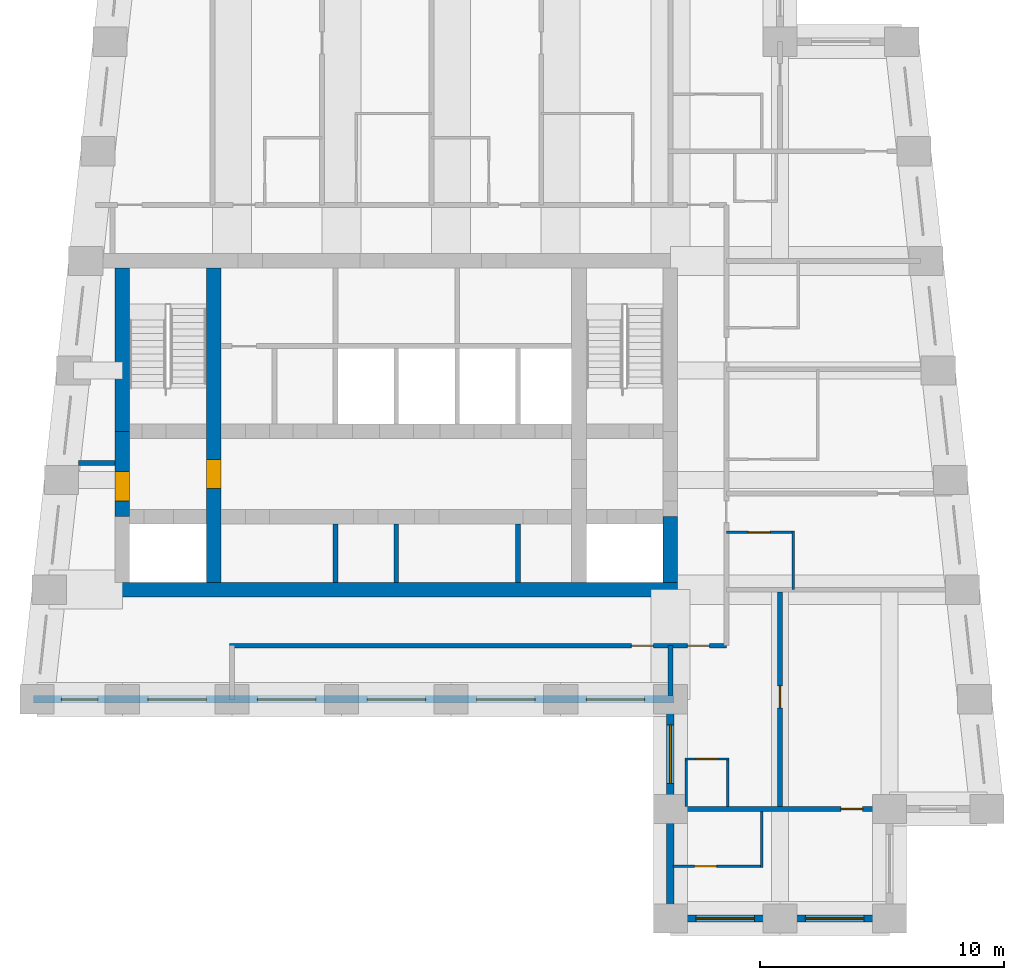
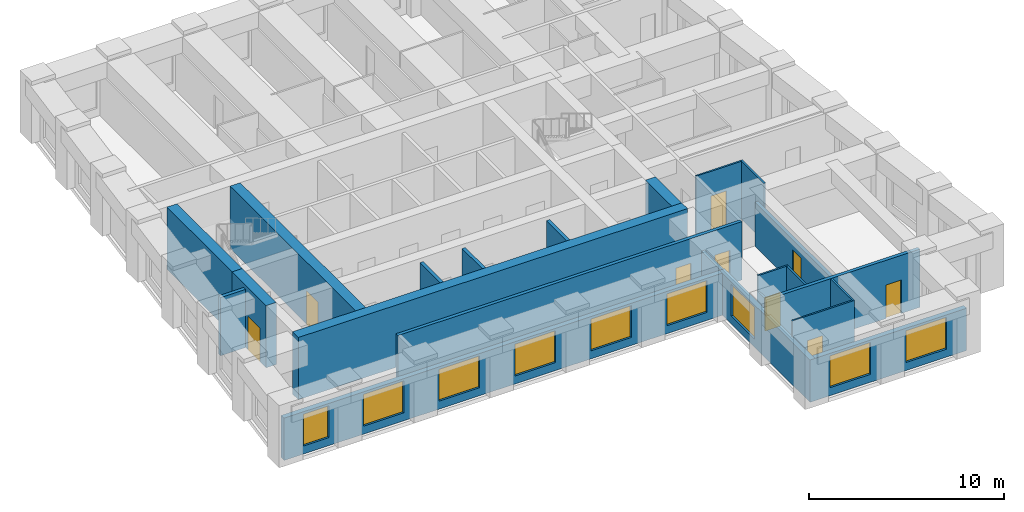
# One storey, part 2 of 7: 23 walls, 9 doors, 9 windows, 18 openings.
"""IFC4 building model written with IfcOpenShell, lengths in metres."""

import ifcopenshell
import ifcopenshell.guid

model = None  # the IFC model being written
_history = None  # IfcOwnerHistory: only IFC2X3 demands one
_inside = {}  # id of a spatial element -> (the spatial element, [elements in it])
_under = {}  # id of a project, library or spatial element -> (it, [spatial elements below it])
_declared = {}  # id of a project -> (the project, [libraries it declares])
_typed = {}  # id of a type object -> (the type object, [elements of that type])
_made_of = {}  # id of a material, layer set ... -> (it, [elements and type objects made of it])


def new_model(schema):
    """Start an empty IFC model of exactly this schema.

    Asked for "IFC4X3", IfcOpenShell would pick the latest addendum, in which some entities
    have other attributes; the version numbers below select the first issue.
    IFC2X3 requires an IfcOwnerHistory on every rooted entity: one is made here for all.
    """
    global model, _history
    if schema == "IFC4X3":
        model = ifcopenshell.file(schema_version=(4, 3, 0, 0))
    else:
        model = ifcopenshell.file(schema=schema)
    _inside.clear()
    _under.clear()
    _declared.clear()
    _typed.clear()
    _made_of.clear()
    _history = None
    if model.schema == "IFC2X3":
        org = make("IfcOrganization", Name="unknown")
        user = make(
            "IfcPersonAndOrganization",
            ThePerson=make("IfcPerson", FamilyName="unknown"),
            TheOrganization=org,
        )
        app = make(
            "IfcApplication",
            ApplicationDeveloper=org,
            Version="unknown",
            ApplicationFullName="unknown",
            ApplicationIdentifier="unknown",
        )
        _history = make(
            "IfcOwnerHistory",
            OwningUser=user,
            OwningApplication=app,
            ChangeAction="ADDED",
            CreationDate=0,
        )
    return model


def make(cls, **values):
    """One entity of the class cls with the attributes given. An attribute that is None is left unset."""
    return model.create_entity(
        cls, **{name: value for name, value in values.items() if value is not None}
    )


def rooted(cls, **values):
    """An entity with a GlobalId (a new one), such as an element, a storey or a relation."""
    return make(cls, GlobalId=ifcopenshell.guid.new(), OwnerHistory=_history, **values)


def si_unit(unit_type, name, prefix=None):
    """IfcSIUnit, for example si_unit("LENGTHUNIT", "METRE", prefix="MILLI")."""
    return make("IfcSIUnit", UnitType=unit_type, Prefix=prefix, Name=name)


def assignment(units):
    """IfcUnitAssignment: the units of a project."""
    return None if units is None else make("IfcUnitAssignment", Units=units)


def point(xyz):
    """IfcCartesianPoint."""
    return None if xyz is None else make("IfcCartesianPoint", Coordinates=xyz)


def direction(xyz):
    """IfcDirection."""
    return None if xyz is None else make("IfcDirection", DirectionRatios=xyz)


def frame(location, z_axis=None, x_axis=None):
    """IfcAxis2Placement3D, a coordinate frame: its origin and axes. An axis left out is left unset."""
    return make(
        "IfcAxis2Placement3D",
        Location=point(location),
        Axis=direction(z_axis),
        RefDirection=direction(x_axis),
    )


def frame_2d(location, x_axis=None):
    """IfcAxis2Placement2D, a coordinate frame in the plane: its origin and x axis."""
    return make(
        "IfcAxis2Placement2D", Location=point(location), RefDirection=direction(x_axis)
    )


def origin():
    """The frame at (0, 0, 0) with its axes left unset."""
    return frame((0.0, 0.0, 0.0))


def place(relative_to, where):
    """IfcLocalPlacement: puts the frame where relative to a parent placement (None: the world)."""
    return make(
        "IfcLocalPlacement", PlacementRelTo=relative_to, RelativePlacement=where
    )


def context(
    kind, dimensions, precision=None, world=None, true_north=None, identifier=None
):
    """IfcGeometricRepresentationContext, for example the 3D "Model" context."""
    return make(
        "IfcGeometricRepresentationContext",
        ContextIdentifier=identifier,
        ContextType=kind,
        CoordinateSpaceDimension=dimensions,
        Precision=precision,
        WorldCoordinateSystem=world,
        TrueNorth=true_north,
    )


def subcontext(parent, identifier, kind, view, scale=None):
    """IfcGeometricRepresentationSubContext, for example "Body" below "Model"."""
    return make(
        "IfcGeometricRepresentationSubContext",
        ContextIdentifier=identifier,
        ContextType=kind,
        ParentContext=parent,
        TargetScale=scale,
        TargetView=view,
    )


def project(units=None, contexts=None):
    """IfcProject with its units and contexts."""
    return rooted(
        "IfcProject",
        Name="project",
        RepresentationContexts=contexts,
        UnitsInContext=assignment(units),
    )


def spatial(cls, under=None, at=None, **own):
    """A site, building, storey or space (cls), placed at a placement, below another one or the project."""
    s = rooted(cls, ObjectPlacement=at, **own)
    if under is not None:
        _under.setdefault(under.id(), (under, []))[1].append(s)
    return s


def profile(cls, at=None, kind="AREA", **sizes):
    """A parametric profile (cls). Its sizes go by their IFC names, for example OverallWidth=200.0."""
    return make(cls, ProfileType=kind, Position=at, **sizes)


def rectangle(**sizes):
    """IfcRectangleProfileDef."""
    return profile("IfcRectangleProfileDef", **sizes)


def extrude(swept, where, along, depth):
    """IfcExtrudedAreaSolid: the profile swept, set in the frame where, extruded along a direction by depth."""
    return make(
        "IfcExtrudedAreaSolid",
        SweptArea=swept,
        Position=where,
        ExtrudedDirection=direction(along),
        Depth=depth,
    )


def shape(context_of_items, identifier, shape_type, items):
    """IfcShapeRepresentation: the items that make up one representation, for example the "Body"."""
    return make(
        "IfcShapeRepresentation",
        ContextOfItems=context_of_items,
        RepresentationIdentifier=identifier,
        RepresentationType=shape_type,
        Items=items,
    )


def material(Name=None, Category=None):
    """IfcMaterial."""
    return make("IfcMaterial", Name=Name, Category=Category)


def layer(
    of_material, thickness, ventilated=None, Name=None, Category=None, Priority=None
):
    """IfcMaterialLayer: one layer of a wall or slab, of a material (None: an air gap)."""
    return make(
        "IfcMaterialLayer",
        Material=of_material,
        LayerThickness=thickness,
        IsVentilated=ventilated,
        Name=Name,
        Category=Category,
        Priority=Priority,
    )


def layer_set(layers, Name=None):
    """IfcMaterialLayerSet."""
    return make("IfcMaterialLayerSet", MaterialLayers=layers, LayerSetName=Name)


def made_of(thing, what):
    """Note that an element or type object is made of a material, layer set ...; save() writes the relation."""
    if what is not None:
        _made_of.setdefault(what.id(), (what, []))[1].append(thing)
    return thing


def type_object(cls, material=None, **own):
    """A type object (cls), such as IfcWallType, which elements share."""
    return made_of(rooted(cls, **own), material)


def element(
    cls,
    number,
    at=None,
    inside=None,
    cuts=None,
    type_object=None,
    material=None,
    context=None,
    identifier="Body",
    shape_type=None,
    held_by="IfcProductDefinitionShape",
    body=None,
    shapes=None,
    **own,
):
    """One element of the class cls, such as IfcWall. Its Tag is "e" and its number.

    at: its placement. inside: the storey or other place that contains it. cuts: it is an
    opening in that element (IfcRelVoidsElement). A single representation is given by context,
    identifier, shape_type and body (its items); several are given by shapes. held_by: the class
    of the entity that holds the representations. save() writes the other relations.
    """
    e = rooted(cls, Tag="e%d" % number, ObjectPlacement=at, **own)
    if body is not None:
        shapes = [shape(context, identifier, shape_type, body)]
    if shapes is not None:
        e.Representation = make(held_by, Representations=shapes)
    if inside is not None:
        _inside.setdefault(inside.id(), (inside, []))[1].append(e)
    if cuts is not None:
        rooted(
            "IfcRelVoidsElement", RelatingBuildingElement=cuts, RelatedOpeningElement=e
        )
    if type_object is not None:
        _typed.setdefault(type_object.id(), (type_object, []))[1].append(e)
    return made_of(e, material)


def fill(opening, filler):
    """IfcRelFillsElement: the door or window that sits in an opening."""
    return rooted(
        "IfcRelFillsElement",
        RelatingOpeningElement=opening,
        RelatedBuildingElement=filler,
    )


def aggregate(whole, parts):
    """IfcRelAggregates: a whole, such as a stair, and the parts it consists of."""
    return rooted("IfcRelAggregates", RelatingObject=whole, RelatedObjects=parts)


def save(model, path):
    """Write the relations noted so far, then the file.

    IfcRelAggregates (storeys below a building ...), IfcRelContainedInSpatialStructure (elements
    in a storey), IfcRelDefinesByType, IfcRelAssociatesMaterial and IfcRelDeclares: one each for
    every whole, place, type object, material and project.
    """
    for whole, parts in _under.values():
        aggregate(whole, parts)
    for where, things in _inside.values():
        rooted(
            "IfcRelContainedInSpatialStructure",
            RelatedElements=things,
            RelatingStructure=where,
        )
    for kind, things in _typed.values():
        rooted("IfcRelDefinesByType", RelatedObjects=things, RelatingType=kind)
    for what, things in _made_of.values():
        rooted("IfcRelAssociatesMaterial", RelatedObjects=things, RelatingMaterial=what)
    for by, libraries in _declared.values():
        rooted("IfcRelDeclares", RelatingContext=by, RelatedDefinitions=libraries)
    model.write(path)


model = new_model("IFC4")

# Units and contexts
model_context = context("Model", 3, precision=1e-05, world=origin(), true_north=direction((0.0, 1.0)))
body_context = subcontext(model_context, "Body", "Model", "MODEL_VIEW")
ifc_project = project(units=[si_unit("LENGTHUNIT", "METRE"), si_unit("AREAUNIT", "SQUARE_METRE"), si_unit("VOLUMEUNIT", "CUBIC_METRE"), si_unit("PLANEANGLEUNIT", "RADIAN"), si_unit("MASSUNIT", "GRAM", prefix="KILO")], contexts=[model_context])

# Site, building, storey
site_placement = place(None, origin())
site = spatial("IfcSite", under=ifc_project, at=site_placement, CompositionType="ELEMENT")
building_placement = place(site_placement, origin())
building = spatial("IfcBuilding", under=site, at=building_placement, Name="Kilele Tower Hotel", CompositionType="ELEMENT")
storey_placement = place(building_placement, frame((0.0, 0.0, 262.39990234375)))
storey = spatial("IfcBuildingStorey", under=building, at=storey_placement, Name="L67", CompositionType="ELEMENT", Elevation=262.39990234375)

# Wall
ifc_material_1 = material(Name="Moisture-resistant board")
ifc_layer_1 = layer(ifc_material_1, 0.10009765625)
ifc_layer_set_1 = layer_set([ifc_layer_1], Name="Moisture-resistant board")
wall_type_1 = type_object("IfcWallType", Name="Bathroom partition 100", PredefinedType="PLUMBINGWALL", material=ifc_layer_set_1)
wall_1_placement = place(storey_placement, frame((41.050048828125, 13.5, 0.0), z_axis=(0.0, 0.0, 1.0), x_axis=(0.0, 1.0, 0.0)))
element("IfcWall", 1, at=wall_1_placement, inside=storey, type_object=wall_type_1, Name="Bathroom partition 100 L67", PredefinedType="PLUMBINGWALL", context=body_context, shape_type="SweptSolid", body=[
    extrude(rectangle(XDim=2.39990234375, YDim=0.10009765625, at=frame_2d((1.199951171875, 0.0))), origin(), (0.0, 0.0, 1.0), 3.650146484375),
])

# Wall, opening, door
wall_2_placement = place(storey_placement, frame((38.300048828125, 15.85009765625, 0.0), z_axis=(0.0, 0.0, 1.0), x_axis=(1.0, 0.0, 0.0)))
wall_2 = element("IfcWall", 2, at=wall_2_placement, inside=storey, type_object=wall_type_1, Name="Bathroom partition 100 L67", PredefinedType="PLUMBINGWALL", context=body_context, shape_type="SweptSolid", body=[
    extrude(rectangle(XDim=2.800048828125, YDim=0.10009765625, at=frame_2d((1.39990234375, 0.0))), origin(), (0.0, 0.0, 1.0), 3.650146484375),
])
opening_1_placement = place(wall_2_placement, frame((0.89990234375, 0.0, 0.0)))
opening_1 = element("IfcOpeningElement", 3, at=opening_1_placement, cuts=wall_2, Name="Opening D2A", PredefinedType="OPENING", context=body_context, shape_type="SweptSolid", body=[
    extrude(rectangle(XDim=0.89990234375, YDim=2.10009765625, at=frame_2d((0.449951171875, 1.050048828125))), frame((0.0, 0.06005859375, 0.0), z_axis=(0.0, -1.0, 0.0), x_axis=(1.0, 0.0, 0.0)), (0.0, 0.0, 1.0), 0.1201171875),
])
ifc_material_2 = material(Name="Timber door leaf in hardwood frame", Category="wood")
door_type_1 = type_object("IfcDoorType", Name="Bathroom door 900", OperationType="SINGLE_SWING_LEFT", PredefinedType="DOOR", material=ifc_material_2)
door_1_placement = place(opening_1_placement, origin())
door_1 = element("IfcDoor", 4, at=door_1_placement, inside=storey, type_object=door_type_1, Name="Bathroom door 6703B", OperationType="SINGLE_SWING_LEFT", OverallHeight=2.10009765625, OverallWidth=0.89990234375, PredefinedType="DOOR", context=body_context, shape_type="SweptSolid", body=[
    extrude(rectangle(XDim=0.89990234375, YDim=2.10009765625, at=frame_2d((0.449951171875, 1.050048828125))), frame((0.0, 0.02490234375, 0.0), z_axis=(0.0, -1.0, 0.0), x_axis=(1.0, 0.0, 0.0)), (0.0, 0.0, 1.0), 0.050048828125),
])
fill(opening_1, door_1)

# Walls
wall_3_placement = place(storey_placement, frame((38.35009765625, 4.60009765625, 0.0), z_axis=(0.0, 0.0, 1.0), x_axis=(0.0, 1.0, 0.0)))
element("IfcWall", 5, at=wall_3_placement, inside=storey, type_object=wall_type_1, Name="Bathroom partition 100 L67", PredefinedType="PLUMBINGWALL", context=body_context, shape_type="SweptSolid", body=[
    extrude(rectangle(XDim=2.0, YDim=0.10009765625, at=frame_2d((1.0, 0.0))), origin(), (0.0, 0.0, 1.0), 3.650146484375),
])
wall_4_placement = place(storey_placement, frame((36.64990234375, 4.60009765625, 0.0), z_axis=(0.0, 0.0, 1.0), x_axis=(0.0, 1.0, 0.0)))
element("IfcWall", 6, at=wall_4_placement, inside=storey, type_object=wall_type_1, Name="Bathroom partition 100 L67", PredefinedType="PLUMBINGWALL", context=body_context, shape_type="SweptSolid", body=[
    extrude(rectangle(XDim=2.0, YDim=0.10009765625, at=frame_2d((1.0, 0.0))), origin(), (0.0, 0.0, 1.0), 2.650146484375),
])

# Wall, opening, door
wall_5_placement = place(storey_placement, frame((36.60009765625, 6.550048828125, 0.0), z_axis=(0.0, 0.0, 1.0), x_axis=(1.0, 0.0, 0.0)))
wall_5 = element("IfcWall", 7, at=wall_5_placement, inside=storey, type_object=wall_type_1, Name="Bathroom partition 100 L67", PredefinedType="PLUMBINGWALL", context=body_context, shape_type="SweptSolid", body=[
    extrude(rectangle(XDim=1.7998046875, YDim=0.10009765625, at=frame_2d((0.89990234375, 0.0))), origin(), (0.0, 0.0, 1.0), 3.650146484375),
])
opening_2_placement = place(wall_5_placement, frame((0.449951171875, 0.0, 0.0)))
opening_2 = element("IfcOpeningElement", 8, at=opening_2_placement, cuts=wall_5, Name="Opening D2A", PredefinedType="OPENING", context=body_context, shape_type="SweptSolid", body=[
    extrude(rectangle(XDim=0.89990234375, YDim=2.10009765625, at=frame_2d((0.449951171875, 1.050048828125))), frame((0.0, 0.06005859375, 0.0), z_axis=(0.0, -1.0, 0.0), x_axis=(1.0, 0.0, 0.0)), (0.0, 0.0, 1.0), 0.1201171875),
])
door_2_placement = place(opening_2_placement, origin())
door_2 = element("IfcDoor", 9, at=door_2_placement, inside=storey, type_object=door_type_1, Name="Bathroom door 6711P", OperationType="SINGLE_SWING_LEFT", OverallHeight=2.10009765625, OverallWidth=0.89990234375, PredefinedType="DOOR", context=body_context, shape_type="SweptSolid", body=[
    extrude(rectangle(XDim=0.89990234375, YDim=2.10009765625, at=frame_2d((0.449951171875, 1.050048828125))), frame((0.0, 0.02490234375, 0.0), z_axis=(0.0, -1.0, 0.0), x_axis=(1.0, 0.0, 0.0)), (0.0, 0.0, 1.0), 0.050048828125),
])
fill(opening_2, door_2)

# Wall
wall_6_placement = place(storey_placement, frame((39.75, 4.39990234375, 0.0), z_axis=(0.0, 0.0, 1.0), x_axis=(0.0, -1.0, 0.0)))
element("IfcWall", 10, at=wall_6_placement, inside=storey, type_object=wall_type_1, Name="Bathroom partition 100 L67", PredefinedType="PLUMBINGWALL", context=body_context, shape_type="SweptSolid", body=[
    extrude(rectangle(XDim=2.2998046875, YDim=0.10009765625, at=frame_2d((1.14990234375, 0.0))), origin(), (0.0, 0.0, 1.0), 3.650146484375),
])

# Wall, opening, door
wall_7_placement = place(storey_placement, frame((36.10009765625, 2.14990234375, 0.0), z_axis=(0.0, 0.0, 1.0), x_axis=(1.0, 0.0, 0.0)))
wall_7 = element("IfcWall", 11, at=wall_7_placement, inside=storey, type_object=wall_type_1, Name="Bathroom partition 100 L67", PredefinedType="PLUMBINGWALL", context=body_context, shape_type="SweptSolid", body=[
    extrude(rectangle(XDim=3.699951171875, YDim=0.10009765625, at=frame_2d((1.85009765625, 0.0))), origin(), (0.0, 0.0, 1.0), 3.650146484375),
])
opening_3_placement = place(wall_7_placement, frame((1.7998046875, 0.0, 0.0), z_axis=(0.0, 0.0, 1.0), x_axis=(-1.0, 0.0, 0.0)))
opening_3 = element("IfcOpeningElement", 12, at=opening_3_placement, cuts=wall_7, Name="Opening D2A", PredefinedType="OPENING", context=body_context, shape_type="SweptSolid", body=[
    extrude(rectangle(XDim=0.89990234375, YDim=2.10009765625, at=frame_2d((0.449951171875, 1.050048828125))), frame((0.0, 0.06005859375, 0.0), z_axis=(0.0, -1.0, 0.0), x_axis=(1.0, 0.0, 0.0)), (0.0, 0.0, 1.0), 0.1201171875),
])
door_3_placement = place(opening_3_placement, origin())
door_3 = element("IfcDoor", 13, at=door_3_placement, inside=storey, type_object=door_type_1, Name="Bathroom door 6713B", OperationType="SINGLE_SWING_RIGHT", OverallHeight=2.10009765625, OverallWidth=0.89990234375, PredefinedType="DOOR", context=body_context, shape_type="SweptSolid", body=[
    extrude(rectangle(XDim=0.89990234375, YDim=2.10009765625, at=frame_2d((0.449951171875, 1.050048828125))), frame((0.0, 0.02490234375, 0.0), z_axis=(0.0, -1.0, 0.0), x_axis=(1.0, 0.0, 0.0)), (0.0, 0.0, 1.0), 0.050048828125),
])
fill(opening_3, door_3)

# Wall
ifc_material_3 = material(Name="Concrete C60/75", Category="concrete")
ifc_layer_2 = layer(ifc_material_3, 0.60009765625)
ifc_layer_set_2 = layer_set([ifc_layer_2], Name="Concrete C60/75")
wall_type_2 = type_object("IfcWallType", Name="Core wall 600 C60/75", PredefinedType="SHEAR", material=ifc_layer_set_2)
wall_8_placement = place(storey_placement, frame((13.199951171875, 13.5, 0.0), z_axis=(0.0, 0.0, 1.0), x_axis=(1.0, 0.0, 0.0)))
element("IfcWall", 14, at=wall_8_placement, inside=storey, type_object=wall_type_2, Name="Core wall S L67", PredefinedType="SHEAR", context=body_context, shape_type="SweptSolid", body=[
    extrude(rectangle(XDim=23.10009765625, YDim=0.60009765625, at=frame_2d((11.550048828125, 0.0))), origin(), (0.0, 0.0, 1.0), 3.900146484375),
])

# Wall, opening, door
wall_9_placement = place(storey_placement, frame((17.25, 13.800048828125, 0.0), z_axis=(0.0, 0.0, 1.0), x_axis=(0.0, 1.0, 0.0)))
wall_9 = element("IfcWall", 15, at=wall_9_placement, inside=storey, type_object=wall_type_2, Name="Core wall IW L67", PredefinedType="SHEAR", context=body_context, shape_type="SweptSolid", body=[
    extrude(rectangle(XDim=12.89990234375, YDim=0.60009765625, at=frame_2d((6.449951171875, 0.0))), origin(), (0.0, 0.0, 1.0), 3.900146484375),
])
opening_4_placement = place(wall_9_placement, frame((3.85009765625, 0.0, 0.0)))
opening_4 = element("IfcOpeningElement", 16, at=opening_4_placement, cuts=wall_9, Name="Opening D4", PredefinedType="OPENING", context=body_context, shape_type="SweptSolid", body=[
    extrude(rectangle(XDim=1.199951171875, YDim=2.10009765625, at=frame_2d((0.60009765625, 1.050048828125))), frame((0.0, 0.31005859375, 0.0), z_axis=(0.0, -1.0, 0.0), x_axis=(1.0, 0.0, 0.0)), (0.0, 0.0, 1.0), 0.6201171875),
])
ifc_material_4 = material(Name="Timber door leaf in hardwood frame", Category="wood")
door_type_2 = type_object("IfcDoorType", Name="Firefighting lobby door 1200", OperationType="SINGLE_SWING_LEFT", PredefinedType="DOOR", material=ifc_material_4)
door_4_placement = place(opening_4_placement, origin())
door_4 = element("IfcDoor", 17, at=door_4_placement, inside=storey, type_object=door_type_2, Name="Lobby door L67", OperationType="SINGLE_SWING_LEFT", OverallHeight=2.10009765625, OverallWidth=1.199951171875, PredefinedType="DOOR", context=body_context, shape_type="SweptSolid", body=[
    extrude(rectangle(XDim=1.199951171875, YDim=2.10009765625, at=frame_2d((0.60009765625, 1.050048828125))), frame((0.0, 0.2998046875, 0.0), z_axis=(0.0, -1.0, 0.0), x_axis=(1.0, 0.0, 0.0)), (0.0, 0.0, 1.0), 0.599609375),
])
fill(opening_4, door_4)

# Wall
wall_10_placement = place(storey_placement, frame((13.5, 26.699951171875, 0.0), z_axis=(0.0, 0.0, 1.0), x_axis=(0.0, -1.0, 0.0)))
element("IfcWall", 18, at=wall_10_placement, inside=storey, type_object=wall_type_2, Name="Core wall W1 L67", PredefinedType="SHEAR", context=body_context, shape_type="SweptSolid", body=[
    extrude(rectangle(XDim=6.699951171875, YDim=0.60009765625, at=frame_2d((3.35009765625, 0.0))), origin(), (0.0, 0.0, 1.0), 3.900146484375),
])

# Wall, opening, door
wall_11_placement = place(storey_placement, frame((13.5, 20.0, 0.0), z_axis=(0.0, 0.0, 1.0), x_axis=(0.0, -1.0, 0.0)))
wall_11 = element("IfcWall", 19, at=wall_11_placement, inside=storey, type_object=wall_type_2, Name="Core wall W2 L67", PredefinedType="SHEAR", context=body_context, shape_type="SweptSolid", body=[
    extrude(rectangle(XDim=3.5, YDim=0.60009765625, at=frame_2d((1.75, 0.0))), origin(), (0.0, 0.0, 1.0), 3.900146484375),
])
opening_5_placement = place(wall_11_placement, frame((1.64990234375, 0.0, 0.0)))
opening_5 = element("IfcOpeningElement", 20, at=opening_5_placement, cuts=wall_11, Name="Opening D4", PredefinedType="OPENING", context=body_context, shape_type="SweptSolid", body=[
    extrude(rectangle(XDim=1.199951171875, YDim=2.10009765625, at=frame_2d((0.60009765625, 1.050048828125))), frame((0.0, 0.31005859375, 0.0), z_axis=(0.0, -1.0, 0.0), x_axis=(1.0, 0.0, 0.0)), (0.0, 0.0, 1.0), 0.6201171875),
])
door_5_placement = place(opening_5_placement, origin())
door_5 = element("IfcDoor", 21, at=door_5_placement, inside=storey, type_object=door_type_2, Name="Lobby door L67", OperationType="SINGLE_SWING_RIGHT", OverallHeight=2.10009765625, OverallWidth=1.199951171875, PredefinedType="DOOR", context=body_context, shape_type="SweptSolid", body=[
    extrude(rectangle(XDim=1.199951171875, YDim=2.10009765625, at=frame_2d((0.60009765625, 1.050048828125))), frame((0.0, 0.2998046875, 0.0), z_axis=(0.0, -1.0, 0.0), x_axis=(1.0, 0.0, 0.0)), (0.0, 0.0, 1.0), 0.599609375),
])
fill(opening_5, door_5)

# Wall
wall_12_placement = place(storey_placement, frame((36.0, 13.800048828125, 0.0), z_axis=(0.0, 0.0, 1.0), x_axis=(0.0, 1.0, 0.0)))
element("IfcWall", 22, at=wall_12_placement, inside=storey, type_object=wall_type_2, Name="Core wall E1 L67", PredefinedType="SHEAR", context=body_context, shape_type="SweptSolid", body=[
    extrude(rectangle(XDim=2.699951171875, YDim=0.60009765625, at=frame_2d((1.35009765625, 0.0))), origin(), (0.0, 0.0, 1.0), 3.900146484375),
])

# Wall, openings, doors
ifc_material_5 = material(Name="Blockwork, plastered both sides", Category="masonry")
ifc_layer_3 = layer(ifc_material_5, 0.199951171875)
ifc_layer_set_3 = layer_set([ifc_layer_3], Name="Blockwork, plastered both sides")
wall_type_3 = type_object("IfcWallType", Name="Corridor wall 200", PredefinedType="PARTITIONING", material=ifc_layer_set_3)
wall_13_placement = place(storey_placement, frame((17.89990234375, 11.199951171875, 0.0), z_axis=(0.0, 0.0, 1.0), x_axis=(1.0, 0.0, 0.0)))
wall_13 = element("IfcWall", 23, at=wall_13_placement, inside=storey, type_object=wall_type_3, Name="Corridor wall 200 L67", PredefinedType="PARTITIONING", context=body_context, shape_type="SweptSolid", body=[
    extrude(rectangle(XDim=20.400146484375, YDim=0.199951171875, at=frame_2d((10.2001953125, 0.0))), origin(), (0.0, 0.0, 1.0), 3.650146484375),
])
opening_6_placement = place(wall_13_placement, frame((17.39990234375, 0.0, 0.0), z_axis=(0.0, 0.0, 1.0), x_axis=(-1.0, 0.0, 0.0)))
opening_6 = element("IfcOpeningElement", 24, at=opening_6_placement, cuts=wall_13, Name="Opening D1", PredefinedType="OPENING", context=body_context, shape_type="SweptSolid", body=[
    extrude(rectangle(XDim=0.89990234375, YDim=2.10009765625, at=frame_2d((0.449951171875, 1.050048828125))), frame((0.0, 0.10986328125, 0.0), z_axis=(0.0, -1.0, 0.0), x_axis=(1.0, 0.0, 0.0)), (0.0, 0.0, 1.0), 0.219970703125),
])
opening_7_placement = place(wall_13_placement, frame((19.699951171875, 0.0, 0.0), z_axis=(0.0, 0.0, 1.0), x_axis=(-1.0, 0.0, 0.0)))
opening_7 = element("IfcOpeningElement", 25, at=opening_7_placement, cuts=wall_13, Name="Opening D1", PredefinedType="OPENING", context=body_context, shape_type="SweptSolid", body=[
    extrude(rectangle(XDim=0.89990234375, YDim=2.10009765625, at=frame_2d((0.449951171875, 1.050048828125))), frame((0.0, 0.10986328125, 0.0), z_axis=(0.0, -1.0, 0.0), x_axis=(1.0, 0.0, 0.0)), (0.0, 0.0, 1.0), 0.219970703125),
])
ifc_material_6 = material(Name="Timber door leaf in hardwood frame", Category="wood")
door_type_3 = type_object("IfcDoorType", Name="Guest room entrance door 900", OperationType="SINGLE_SWING_LEFT", PredefinedType="DOOR", material=ifc_material_6)
door_6_placement = place(opening_6_placement, origin())
door_6 = element("IfcDoor", 26, at=door_6_placement, inside=storey, type_object=door_type_3, Name="Room entrance 6702", OperationType="SINGLE_SWING_LEFT", OverallHeight=2.10009765625, OverallWidth=0.89990234375, PredefinedType="DOOR", context=body_context, shape_type="SweptSolid", body=[
    extrude(rectangle(XDim=0.89990234375, YDim=2.10009765625, at=frame_2d((0.449951171875, 1.050048828125))), frame((0.0, 0.02490234375, 0.0), z_axis=(0.0, -1.0, 0.0), x_axis=(1.0, 0.0, 0.0)), (0.0, 0.0, 1.0), 0.050048828125),
])
fill(opening_6, door_6)
door_7_placement = place(opening_7_placement, origin())
door_7 = element("IfcDoor", 27, at=door_7_placement, inside=storey, type_object=door_type_3, Name="Room entrance 6711", OperationType="SINGLE_SWING_RIGHT", OverallHeight=2.10009765625, OverallWidth=0.89990234375, PredefinedType="DOOR", context=body_context, shape_type="SweptSolid", body=[
    extrude(rectangle(XDim=0.89990234375, YDim=2.10009765625, at=frame_2d((0.449951171875, 1.050048828125))), frame((0.0, 0.02490234375, 0.0), z_axis=(0.0, -1.0, 0.0), x_axis=(1.0, 0.0, 0.0)), (0.0, 0.0, 1.0), 0.050048828125),
])
fill(opening_7, door_7)

# Wall
ifc_material_7 = material(Name="Blockwork, plastered both sides", Category="masonry")
ifc_layer_4 = layer(ifc_material_7, 0.199951171875)
ifc_layer_set_4 = layer_set([ifc_layer_4], Name="Blockwork, plastered both sides")
wall_type_4 = type_object("IfcWallType", Name="Partition wall 200", PredefinedType="PARTITIONING", material=ifc_layer_set_4)
wall_14_placement = place(storey_placement, frame((13.199951171875, 18.699951171875, 0.0), z_axis=(0.0, 0.0, 1.0), x_axis=(-1.0, 0.0, 0.0)))
element("IfcWall", 28, at=wall_14_placement, inside=storey, type_object=wall_type_4, Name="Partition wall 200 L67", PredefinedType="PARTITIONING", context=body_context, shape_type="SweptSolid", body=[
    extrude(rectangle(XDim=1.5, YDim=0.199951171875, at=frame_2d((0.75, 0.0))), origin(), (0.0, 0.0, 1.0), 3.650146484375),
])

# Wall, opening, door
wall_15_placement = place(storey_placement, frame((40.5, 4.60009765625, 0.0), z_axis=(0.0, 0.0, 1.0), x_axis=(0.0, 1.0, 0.0)))
wall_15 = element("IfcWall", 29, at=wall_15_placement, inside=storey, type_object=wall_type_4, Name="Partition wall 200 L67", PredefinedType="PARTITIONING", context=body_context, shape_type="SweptSolid", body=[
    extrude(rectangle(XDim=8.7998046875, YDim=0.199951171875, at=frame_2d((4.39990234375, 0.0))), origin(), (0.0, 0.0, 1.0), 2.75),
])
opening_8_placement = place(wall_15_placement, frame((4.050048828125, 0.0, 0.0)))
opening_8 = element("IfcOpeningElement", 30, at=opening_8_placement, cuts=wall_15, Name="Opening D3", PredefinedType="OPENING", context=body_context, shape_type="SweptSolid", body=[
    extrude(rectangle(XDim=0.89990234375, YDim=2.10009765625, at=frame_2d((0.449951171875, 1.050048828125))), frame((0.0, 0.10986328125, 0.0), z_axis=(0.0, -1.0, 0.0), x_axis=(1.0, 0.0, 0.0)), (0.0, 0.0, 1.0), 0.219970703125),
])
ifc_material_8 = material(Name="Timber door leaf in hardwood frame", Category="wood")
door_type_4 = type_object("IfcDoorType", Name="Suite internal door 900", OperationType="SINGLE_SWING_LEFT", PredefinedType="DOOR", material=ifc_material_8)
door_8_placement = place(opening_8_placement, origin())
door_8 = element("IfcDoor", 31, at=door_8_placement, inside=storey, type_object=door_type_4, Name="Suite door 6712", OperationType="SINGLE_SWING_RIGHT", OverallHeight=2.10009765625, OverallWidth=0.89990234375, PredefinedType="DOOR", context=body_context, shape_type="SweptSolid", body=[
    extrude(rectangle(XDim=0.89990234375, YDim=2.10009765625, at=frame_2d((0.449951171875, 1.050048828125))), frame((0.0, 0.02490234375, 0.0), z_axis=(0.0, -1.0, 0.0), x_axis=(1.0, 0.0, 0.0)), (0.0, 0.0, 1.0), 0.050048828125),
])
fill(opening_8, door_8)

# Wall
ifc_material_9 = material(Name="Blockwork, plastered both sides", Category="masonry")
ifc_layer_5 = layer(ifc_material_9, 0.199951171875)
ifc_layer_set_5 = layer_set([ifc_layer_5], Name="Blockwork, plastered both sides")
wall_type_5 = type_object("IfcWallType", Name="Party wall 200", PredefinedType="PARTITIONING", material=ifc_layer_set_5)
wall_16_placement = place(storey_placement, frame((36.0, 11.199951171875, 0.0), z_axis=(0.0, 0.0, 1.0), x_axis=(0.0, -1.0, 0.0)))
element("IfcWall", 32, at=wall_16_placement, inside=storey, type_object=wall_type_5, Name="Party wall 200 L67", PredefinedType="PARTITIONING", context=body_context, shape_type="SweptSolid", body=[
    extrude(rectangle(XDim=2.050048828125, YDim=0.199951171875, at=frame_2d((1.02490234375, 0.0))), origin(), (0.0, 0.0, 1.0), 2.650146484375),
])

# Wall, opening, door
wall_17_placement = place(storey_placement, frame((35.89990234375, 4.5, 0.0), z_axis=(0.0, 0.0, 1.0), x_axis=(1.0, 0.0, 0.0)))
wall_17 = element("IfcWall", 33, at=wall_17_placement, inside=storey, type_object=wall_type_5, Name="Party wall 200 L67", PredefinedType="PARTITIONING", context=body_context, shape_type="SweptSolid", body=[
    extrude(rectangle(XDim=9.10009765625, YDim=0.199951171875, at=frame_2d((4.550048828125, 0.0))), origin(), (0.0, 0.0, 1.0), 3.650146484375),
])
opening_9_placement = place(wall_17_placement, frame((7.10009765625, 0.0, 0.0)))
opening_9 = element("IfcOpeningElement", 34, at=opening_9_placement, cuts=wall_17, Name="Opening D3", PredefinedType="OPENING", context=body_context, shape_type="SweptSolid", body=[
    extrude(rectangle(XDim=0.89990234375, YDim=2.10009765625, at=frame_2d((0.449951171875, 1.050048828125))), frame((0.0, 0.10986328125, 0.0), z_axis=(0.0, -1.0, 0.0), x_axis=(1.0, 0.0, 0.0)), (0.0, 0.0, 1.0), 0.219970703125),
])
door_9_placement = place(opening_9_placement, origin())
door_9 = element("IfcDoor", 35, at=door_9_placement, inside=storey, type_object=door_type_4, Name="Suite door 6713", OperationType="SINGLE_SWING_RIGHT", OverallHeight=2.10009765625, OverallWidth=0.89990234375, PredefinedType="DOOR", context=body_context, shape_type="SweptSolid", body=[
    extrude(rectangle(XDim=0.89990234375, YDim=2.10009765625, at=frame_2d((0.449951171875, 1.050048828125))), frame((0.0, 0.02490234375, 0.0), z_axis=(0.0, -1.0, 0.0), x_axis=(1.0, 0.0, 0.0)), (0.0, 0.0, 1.0), 0.050048828125),
])
fill(opening_9, door_9)

# Wall, openings, windows
ifc_material_10 = material(Name="Concrete C40/50 precast", Category="concrete")
ifc_layer_6 = layer(ifc_material_10, 0.260009765625, Name="Precast backing", Category="LoadBearing")
ifc_material_11 = material(Name="Reconstituted stone finish", Category="masonry")
ifc_layer_7 = layer(ifc_material_11, 0.0400390625, Name="Face mix", Category="Finish")
ifc_layer_set_6 = layer_set([ifc_layer_6, ifc_layer_7], Name="Precast concrete C40/50, reconstituted stone finish")
wall_type_6 = type_object("IfcWallType", Name="Precast stone facade wall 300", PredefinedType="STANDARD", material=ifc_layer_set_6)
wall_18_placement = place(storey_placement, frame((9.85009765625, 9.0, 0.0), z_axis=(0.0, 0.0, 1.0), x_axis=(1.0, 0.0, 0.0)))
wall_18 = element("IfcWall", 36, at=wall_18_placement, inside=storey, type_object=wall_type_6, Name="Facade wall L67 edge 1", PredefinedType="STANDARD", context=body_context, shape_type="SweptSolid", body=[
    extrude(rectangle(XDim=26.2998046875, YDim=0.300048828125, at=frame_2d((13.14990234375, 0.0))), origin(), (0.0, 0.0, 1.0), 2.650146484375),
])
opening_10_placement = place(wall_18_placement, frame((1.14990234375, 0.0, 0.5)))
opening_10 = element("IfcOpeningElement", 37, at=opening_10_placement, cuts=wall_18, Name="Opening W4", PredefinedType="OPENING", context=body_context, shape_type="SweptSolid", body=[
    extrude(rectangle(XDim=1.5, YDim=2.0, at=frame_2d((0.75, 1.0))), frame((0.0, 0.159912109375, 0.0), z_axis=(0.0, -1.0, 0.0), x_axis=(1.0, 0.0, 0.0)), (0.0, 0.0, 1.0), 0.320068359375),
])
opening_11_placement = place(wall_18_placement, frame((4.699951171875, 0.0, 0.5)))
opening_11 = element("IfcOpeningElement", 38, at=opening_11_placement, cuts=wall_18, Name="Opening W4", PredefinedType="OPENING", context=body_context, shape_type="SweptSolid", body=[
    extrude(rectangle(XDim=2.39990234375, YDim=2.0, at=frame_2d((1.199951171875, 1.0))), frame((0.0, 0.159912109375, 0.0), z_axis=(0.0, -1.0, 0.0), x_axis=(1.0, 0.0, 0.0)), (0.0, 0.0, 1.0), 0.320068359375),
])
opening_12_placement = place(wall_18_placement, frame((9.199951171875, 0.0, 0.5)))
opening_12 = element("IfcOpeningElement", 39, at=opening_12_placement, cuts=wall_18, Name="Opening W4", PredefinedType="OPENING", context=body_context, shape_type="SweptSolid", body=[
    extrude(rectangle(XDim=2.39990234375, YDim=2.0, at=frame_2d((1.199951171875, 1.0))), frame((0.0, 0.159912109375, 0.0), z_axis=(0.0, -1.0, 0.0), x_axis=(1.0, 0.0, 0.0)), (0.0, 0.0, 1.0), 0.320068359375),
])
opening_13_placement = place(wall_18_placement, frame((13.699951171875, 0.0, 0.5)))
opening_13 = element("IfcOpeningElement", 40, at=opening_13_placement, cuts=wall_18, Name="Opening W4", PredefinedType="OPENING", context=body_context, shape_type="SweptSolid", body=[
    extrude(rectangle(XDim=2.39990234375, YDim=2.0, at=frame_2d((1.199951171875, 1.0))), frame((0.0, 0.159912109375, 0.0), z_axis=(0.0, -1.0, 0.0), x_axis=(1.0, 0.0, 0.0)), (0.0, 0.0, 1.0), 0.320068359375),
])
opening_14_placement = place(wall_18_placement, frame((18.199951171875, 0.0, 0.5)))
opening_14 = element("IfcOpeningElement", 41, at=opening_14_placement, cuts=wall_18, Name="Opening W4", PredefinedType="OPENING", context=body_context, shape_type="SweptSolid", body=[
    extrude(rectangle(XDim=2.39990234375, YDim=2.0, at=frame_2d((1.199951171875, 1.0))), frame((0.0, 0.159912109375, 0.0), z_axis=(0.0, -1.0, 0.0), x_axis=(1.0, 0.0, 0.0)), (0.0, 0.0, 1.0), 0.320068359375),
])
opening_15_placement = place(wall_18_placement, frame((22.699951171875, 0.0, 0.5)))
opening_15 = element("IfcOpeningElement", 42, at=opening_15_placement, cuts=wall_18, Name="Opening W4", PredefinedType="OPENING", context=body_context, shape_type="SweptSolid", body=[
    extrude(rectangle(XDim=2.39990234375, YDim=2.0, at=frame_2d((1.199951171875, 1.0))), frame((0.0, 0.159912109375, 0.0), z_axis=(0.0, -1.0, 0.0), x_axis=(1.0, 0.0, 0.0)), (0.0, 0.0, 1.0), 0.320068359375),
])
ifc_material_12 = material(Name="Aluminium frame, clear double glazing", Category="aluminium")
window_type_1 = type_object("IfcWindowType", Name="Window W4 1500 x 2000", PartitioningType="SINGLE_PANEL", PredefinedType="WINDOW", material=ifc_material_12)
window_1_placement = place(opening_10_placement, origin())
window_1 = element("IfcWindow", 43, at=window_1_placement, inside=storey, type_object=window_type_1, Name="Window L67", OverallHeight=2.0, OverallWidth=1.5, PartitioningType="SINGLE_PANEL", PredefinedType="WINDOW", context=body_context, shape_type="SweptSolid", body=[
    extrude(rectangle(XDim=1.5, YDim=2.0, at=frame_2d((0.75, 1.0))), frame((0.0, 0.030029296875, 0.0), z_axis=(0.0, -1.0, 0.0), x_axis=(1.0, 0.0, 0.0)), (0.0, 0.0, 1.0), 0.06005859375),
])
fill(opening_10, window_1)
ifc_material_13 = material(Name="Aluminium frame, clear double glazing", Category="aluminium")
window_type_2 = type_object("IfcWindowType", Name="Window W4 2400 x 2000", PartitioningType="SINGLE_PANEL", PredefinedType="WINDOW", material=ifc_material_13)
window_2_placement = place(opening_11_placement, origin())
window_2 = element("IfcWindow", 44, at=window_2_placement, inside=storey, type_object=window_type_2, Name="Window L67", OverallHeight=2.0, OverallWidth=2.39990234375, PartitioningType="SINGLE_PANEL", PredefinedType="WINDOW", context=body_context, shape_type="SweptSolid", body=[
    extrude(rectangle(XDim=2.39990234375, YDim=2.0, at=frame_2d((1.199951171875, 1.0))), frame((0.0, 0.030029296875, 0.0), z_axis=(0.0, -1.0, 0.0), x_axis=(1.0, 0.0, 0.0)), (0.0, 0.0, 1.0), 0.06005859375),
])
fill(opening_11, window_2)
window_3_placement = place(opening_12_placement, origin())
window_3 = element("IfcWindow", 45, at=window_3_placement, inside=storey, type_object=window_type_2, Name="Window L67", OverallHeight=2.0, OverallWidth=2.39990234375, PartitioningType="SINGLE_PANEL", PredefinedType="WINDOW", context=body_context, shape_type="SweptSolid", body=[
    extrude(rectangle(XDim=2.39990234375, YDim=2.0, at=frame_2d((1.199951171875, 1.0))), frame((0.0, 0.030029296875, 0.0), z_axis=(0.0, -1.0, 0.0), x_axis=(1.0, 0.0, 0.0)), (0.0, 0.0, 1.0), 0.06005859375),
])
fill(opening_12, window_3)
window_4_placement = place(opening_13_placement, origin())
window_4 = element("IfcWindow", 46, at=window_4_placement, inside=storey, type_object=window_type_2, Name="Window L67", OverallHeight=2.0, OverallWidth=2.39990234375, PartitioningType="SINGLE_PANEL", PredefinedType="WINDOW", context=body_context, shape_type="SweptSolid", body=[
    extrude(rectangle(XDim=2.39990234375, YDim=2.0, at=frame_2d((1.199951171875, 1.0))), frame((0.0, 0.030029296875, 0.0), z_axis=(0.0, -1.0, 0.0), x_axis=(1.0, 0.0, 0.0)), (0.0, 0.0, 1.0), 0.06005859375),
])
fill(opening_13, window_4)
window_5_placement = place(opening_14_placement, origin())
window_5 = element("IfcWindow", 47, at=window_5_placement, inside=storey, type_object=window_type_2, Name="Window L67", OverallHeight=2.0, OverallWidth=2.39990234375, PartitioningType="SINGLE_PANEL", PredefinedType="WINDOW", context=body_context, shape_type="SweptSolid", body=[
    extrude(rectangle(XDim=2.39990234375, YDim=2.0, at=frame_2d((1.199951171875, 1.0))), frame((0.0, 0.030029296875, 0.0), z_axis=(0.0, -1.0, 0.0), x_axis=(1.0, 0.0, 0.0)), (0.0, 0.0, 1.0), 0.06005859375),
])
fill(opening_14, window_5)
window_6_placement = place(opening_15_placement, origin())
window_6 = element("IfcWindow", 48, at=window_6_placement, inside=storey, type_object=window_type_2, Name="Window L67", OverallHeight=2.0, OverallWidth=2.39990234375, PartitioningType="SINGLE_PANEL", PredefinedType="WINDOW", context=body_context, shape_type="SweptSolid", body=[
    extrude(rectangle(XDim=2.39990234375, YDim=2.0, at=frame_2d((1.199951171875, 1.0))), frame((0.0, 0.030029296875, 0.0), z_axis=(0.0, -1.0, 0.0), x_axis=(1.0, 0.0, 0.0)), (0.0, 0.0, 1.0), 0.06005859375),
])
fill(opening_15, window_6)

# Wall, opening, window
wall_19_placement = place(storey_placement, frame((36.0, 9.14990234375, 0.0), z_axis=(0.0, 0.0, 1.0), x_axis=(0.0, -1.0, 0.0)))
wall_19 = element("IfcWall", 49, at=wall_19_placement, inside=storey, type_object=wall_type_6, Name="Facade wall L67 edge 2", PredefinedType="STANDARD", context=body_context, shape_type="SweptSolid", body=[
    extrude(rectangle(XDim=9.2998046875, YDim=0.300048828125, at=frame_2d((4.64990234375, 0.0))), origin(), (0.0, 0.0, 1.0), 2.650146484375),
])
opening_16_placement = place(wall_19_placement, frame((1.199951171875, 0.0, 0.5)))
opening_16 = element("IfcOpeningElement", 50, at=opening_16_placement, cuts=wall_19, Name="Opening W4", PredefinedType="OPENING", context=body_context, shape_type="SweptSolid", body=[
    extrude(rectangle(XDim=2.39990234375, YDim=2.0, at=frame_2d((1.199951171875, 1.0))), frame((0.0, 0.159912109375, 0.0), z_axis=(0.0, -1.0, 0.0), x_axis=(1.0, 0.0, 0.0)), (0.0, 0.0, 1.0), 0.320068359375),
])
window_7_placement = place(opening_16_placement, origin())
window_7 = element("IfcWindow", 51, at=window_7_placement, inside=storey, type_object=window_type_2, Name="Window L67", OverallHeight=2.0, OverallWidth=2.39990234375, PartitioningType="SINGLE_PANEL", PredefinedType="WINDOW", context=body_context, shape_type="SweptSolid", body=[
    extrude(rectangle(XDim=2.39990234375, YDim=2.0, at=frame_2d((1.199951171875, 1.0))), frame((0.0, 0.030029296875, 0.0), z_axis=(0.0, -1.0, 0.0), x_axis=(1.0, 0.0, 0.0)), (0.0, 0.0, 1.0), 0.06005859375),
])
fill(opening_16, window_7)

# Wall, openings, windows
wall_20_placement = place(storey_placement, frame((35.85009765625, 0.0, 0.0), z_axis=(0.0, 0.0, 1.0), x_axis=(1.0, 0.0, 0.0)))
wall_20 = element("IfcWall", 52, at=wall_20_placement, inside=storey, type_object=wall_type_6, Name="Facade wall L67 edge 3", PredefinedType="STANDARD", context=body_context, shape_type="SweptSolid", body=[
    extrude(rectangle(XDim=9.2998046875, YDim=0.300048828125, at=frame_2d((4.64990234375, 0.0))), origin(), (0.0, 0.0, 1.0), 2.650146484375),
])
opening_17_placement = place(wall_20_placement, frame((1.199951171875, 0.0, 0.5)))
opening_17 = element("IfcOpeningElement", 53, at=opening_17_placement, cuts=wall_20, Name="Opening W4", PredefinedType="OPENING", context=body_context, shape_type="SweptSolid", body=[
    extrude(rectangle(XDim=2.39990234375, YDim=2.0, at=frame_2d((1.199951171875, 1.0))), frame((0.0, 0.159912109375, 0.0), z_axis=(0.0, -1.0, 0.0), x_axis=(1.0, 0.0, 0.0)), (0.0, 0.0, 1.0), 0.320068359375),
])
opening_18_placement = place(wall_20_placement, frame((5.699951171875, 0.0, 0.5)))
opening_18 = element("IfcOpeningElement", 54, at=opening_18_placement, cuts=wall_20, Name="Opening W4", PredefinedType="OPENING", context=body_context, shape_type="SweptSolid", body=[
    extrude(rectangle(XDim=2.39990234375, YDim=2.0, at=frame_2d((1.199951171875, 1.0))), frame((0.0, 0.159912109375, 0.0), z_axis=(0.0, -1.0, 0.0), x_axis=(1.0, 0.0, 0.0)), (0.0, 0.0, 1.0), 0.320068359375),
])
window_8_placement = place(opening_17_placement, origin())
window_8 = element("IfcWindow", 55, at=window_8_placement, inside=storey, type_object=window_type_2, Name="Window L67", OverallHeight=2.0, OverallWidth=2.39990234375, PartitioningType="SINGLE_PANEL", PredefinedType="WINDOW", context=body_context, shape_type="SweptSolid", body=[
    extrude(rectangle(XDim=2.39990234375, YDim=2.0, at=frame_2d((1.199951171875, 1.0))), frame((0.0, 0.030029296875, 0.0), z_axis=(0.0, -1.0, 0.0), x_axis=(1.0, 0.0, 0.0)), (0.0, 0.0, 1.0), 0.06005859375),
])
fill(opening_17, window_8)
window_9_placement = place(opening_18_placement, origin())
window_9 = element("IfcWindow", 56, at=window_9_placement, inside=storey, type_object=window_type_2, Name="Window L67", OverallHeight=2.0, OverallWidth=2.39990234375, PartitioningType="SINGLE_PANEL", PredefinedType="WINDOW", context=body_context, shape_type="SweptSolid", body=[
    extrude(rectangle(XDim=2.39990234375, YDim=2.0, at=frame_2d((1.199951171875, 1.0))), frame((0.0, 0.030029296875, 0.0), z_axis=(0.0, -1.0, 0.0), x_axis=(1.0, 0.0, 0.0)), (0.0, 0.0, 1.0), 0.06005859375),
])
fill(opening_18, window_9)

# Walls
ifc_material_14 = material(Name="Blockwork, fire-rated", Category="masonry")
ifc_layer_8 = layer(ifc_material_14, 0.199951171875)
ifc_layer_set_7 = layer_set([ifc_layer_8], Name="Blockwork, fire-rated")
wall_type_7 = type_object("IfcWallType", Name="Shaft wall 200", PredefinedType="PARTITIONING", material=ifc_layer_set_7)
for number, where, z_axis, x_axis, name in (
    (57, (22.25, 13.800048828125, 0.0), (0.0, 0.0, 1.0), (0.0, 1.0, 0.0), "Shaft wall 200 L67"),
    (58, (24.75, 13.800048828125, 0.0), (0.0, 0.0, 1.0), (0.0, 1.0, 0.0), "Shaft wall 200 L67"),
    (59, (29.75, 13.800048828125, 0.0), (0.0, 0.0, 1.0), (0.0, 1.0, 0.0), "Shaft wall 200 L67"),
):
    element("IfcWall", number, at=place(storey_placement, frame(where, z_axis=z_axis, x_axis=x_axis)), inside=storey, type_object=wall_type_7, Name=name, PredefinedType="PARTITIONING", context=body_context, shape_type="SweptSolid", body=[
        extrude(rectangle(XDim=2.39990234375, YDim=0.199951171875, at=frame_2d((1.199951171875, 0.0))), origin(), (0.0, 0.0, 1.0), 3.650146484375),
    ])

save(model, "model.ifc")
